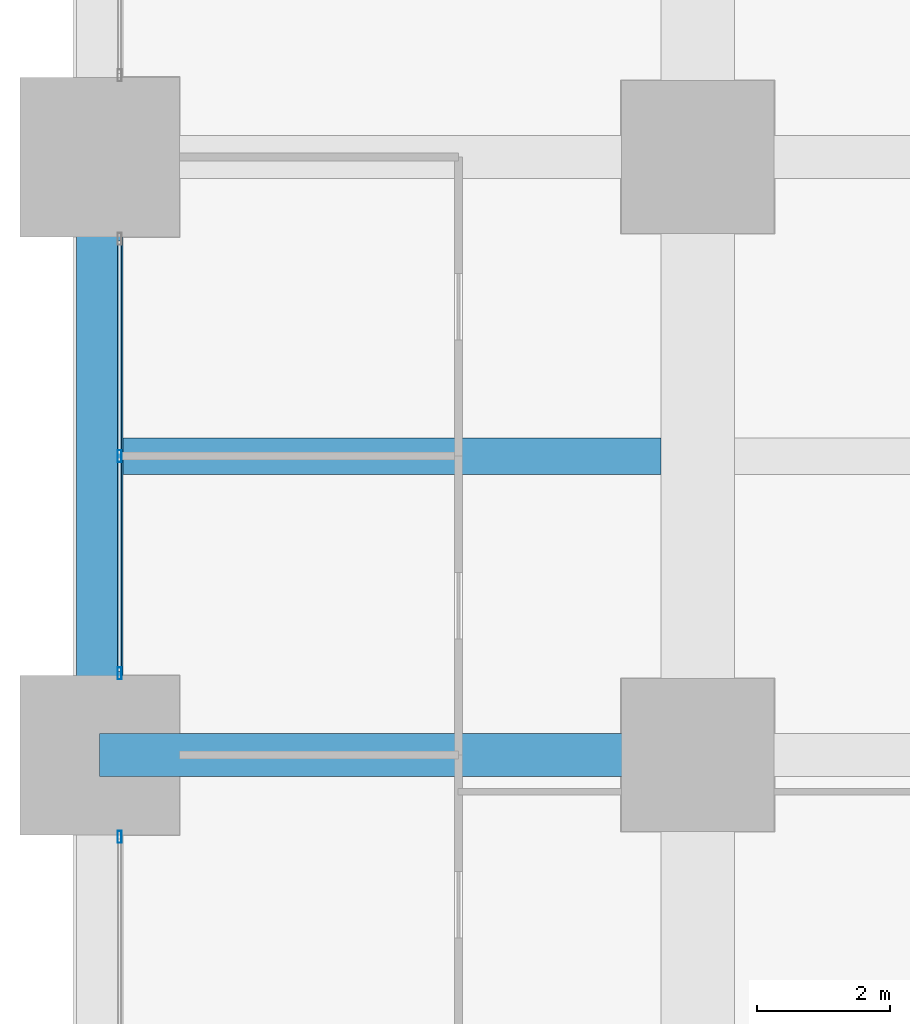
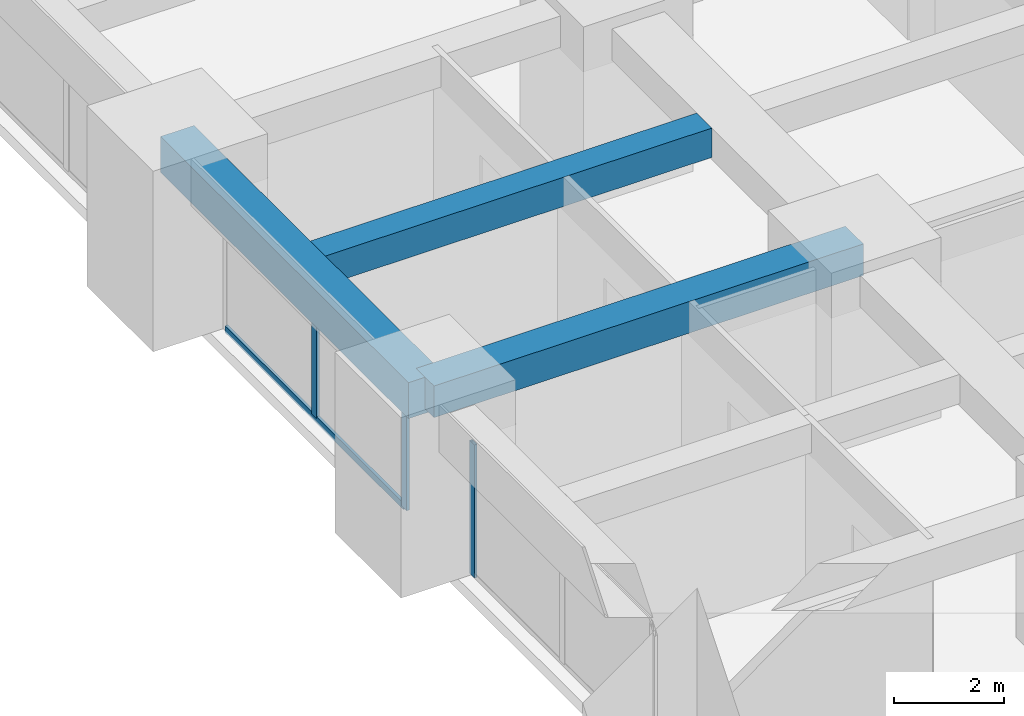
# One storey, part 9 of 44: 4 members, 3 beams, 2 elements without a shape of their own.
"""IFC4 building model written with IfcOpenShell, lengths in metres."""

from ifc_helpers import new_model, si_unit, direction, frame, origin, origin_2d, place, context, subcontext, project, spatial, rectangle, hollow_rectangle, extrude, material, material_profile, profile_set, type_object, element, aggregate, save


model = new_model("IFC4")

# Units and contexts
model_context = context("Model", 3, precision=1e-05, world=origin(), true_north=direction((0.0, 1.0)))
body_context = subcontext(model_context, "Body", "Model", "MODEL_VIEW")
ifc_project = project(units=[si_unit("LENGTHUNIT", "METRE"), si_unit("AREAUNIT", "SQUARE_METRE"), si_unit("VOLUMEUNIT", "CUBIC_METRE"), si_unit("PLANEANGLEUNIT", "RADIAN"), si_unit("MASSUNIT", "GRAM", prefix="KILO")], contexts=[model_context])

# Site, building, storey
site_placement = place(None, origin())
site = spatial("IfcSite", under=ifc_project, at=site_placement, CompositionType="ELEMENT")
building_placement = place(site_placement, origin())
building = spatial("IfcBuilding", under=site, at=building_placement, Name="Zorevar Civic Tower", CompositionType="ELEMENT")
storey_placement = place(building_placement, frame((0.0, 0.0, 35.800048828125)))
storey = spatial("IfcBuildingStorey", under=building, at=storey_placement, Name="L08", CompositionType="ELEMENT", Elevation=35.800048828125)

# Beams
ifc_material_1 = material(Name="Concrete C50/60", Category="concrete")
ifc_material_profile_1 = material_profile(ifc_material_1, rectangle(XDim=0.550048828125, YDim=0.64990234375, at=origin_2d()), Name="RC 550x650")
ifc_profile_set_1 = profile_set([ifc_material_profile_1], Name="Concrete C50/60")
beam_type_1 = type_object("IfcBeamType", Name="Beam RC 550x650", PredefinedType="BEAM", material=ifc_profile_set_1)
beam_1_placement = place(storey_placement, frame((0.35009765625, 22.5, 3.425048828125), z_axis=(1.0, 0.0, 0.0), x_axis=(0.0, 1.0, 0.0)))
element("IfcBeam", 1, at=beam_1_placement, inside=storey, type_object=beam_type_1, Name="Secondary beam L09", PredefinedType="BEAM", context=body_context, shape_type="SweptSolid", body=[
    extrude(rectangle(XDim=0.550048828125, YDim=0.64990234375, at=origin_2d()), origin(), (0.0, 0.0, 1.0), 8.099853515625),
])
ifc_material_2 = material(Name="Concrete C50/60", Category="concrete")
ifc_material_profile_2 = material_profile(ifc_material_2, rectangle(XDim=0.64990234375, YDim=0.699951171875, at=origin_2d()), Name="RC 650x700")
ifc_profile_set_2 = profile_set([ifc_material_profile_2], Name="Concrete C50/60")
beam_type_2 = type_object("IfcBeamType", Name="Beam RC 650x700", PredefinedType="BEAM", material=ifc_profile_set_2)
beam_2_placement = place(storey_placement, frame((0.0, 18.0, 3.39990234375), z_axis=(1.0, 0.0, 0.0), x_axis=(0.0, 1.0, 0.0)))
element("IfcBeam", 2, at=beam_2_placement, inside=storey, type_object=beam_type_2, Name="Girder L09", PredefinedType="BEAM", context=body_context, shape_type="SweptSolid", body=[
    extrude(rectangle(XDim=0.64990234375, YDim=0.699951171875, at=origin_2d()), origin(), (0.0, 0.0, 1.0), 9.0),
])

# Curtain wall, member
ifc_material_3 = material(Name="Dark grey solar-control glass in black aluminium frame", Category="aluminium")
curtain_wall_type = type_object("IfcCurtainWallType", Name="Curtain wall CW2 low zone", PredefinedType="NOTDEFINED", material=ifc_material_3)
curtain_wall_1_placement = place(storey_placement, origin())
curtain_wall_1 = element("IfcCurtainWall", 3, at=curtain_wall_1_placement, inside=storey, type_object=curtain_wall_type, Name="CW2 L08", PredefinedType="NOTDEFINED")
ifc_material_4 = material(Name="Aluminium, black anodised", Category="aluminium")
ifc_material_profile_3 = material_profile(ifc_material_4, hollow_rectangle(XDim=0.06005859375, YDim=0.179931640625, WallThickness=0.00390625, at=origin_2d()), Name="AL 180x60x4")
ifc_profile_set_3 = profile_set([ifc_material_profile_3], Name="Aluminium, black anodised")
member_type_1 = type_object("IfcMemberType", Name="CW2 mullion AL 180x60x4", PredefinedType="MULLION", material=ifc_profile_set_3)
member_1_placement = place(storey_placement, frame((0.300048828125, 16.77001953125, 0.0), z_axis=(0.0, 0.0, 1.0), x_axis=(-1.0, 0.0, 0.0)))
member_1 = element("IfcMember", 4, at=member_1_placement, type_object=member_type_1, Name="CW2 mullion 3", PredefinedType="MULLION", context=body_context, shape_type="SweptSolid", body=[
    extrude(hollow_rectangle(XDim=0.06005859375, YDim=0.179931640625, WallThickness=0.00390625, at=origin_2d()), origin(), (0.0, 0.0, 1.0), 2.949951171875),
])
aggregate(curtain_wall_1, [member_1])

# Curtain wall, members
curtain_wall_2_placement = place(storey_placement, origin())
curtain_wall_2 = element("IfcCurtainWall", 5, at=curtain_wall_2_placement, inside=storey, type_object=curtain_wall_type, Name="CW2 L08", PredefinedType="NOTDEFINED")
member_2_placement = place(storey_placement, frame((0.300048828125, 19.22998046875, 0.0), z_axis=(0.0, 0.0, 1.0), x_axis=(-1.0, 0.0, 0.0)))
member_2 = element("IfcMember", 6, at=member_2_placement, type_object=member_type_1, Name="CW2 mullion 1", PredefinedType="MULLION", context=body_context, shape_type="SweptSolid", body=[
    extrude(hollow_rectangle(XDim=0.06005859375, YDim=0.179931640625, WallThickness=0.00390625, at=origin_2d()), origin(), (0.0, 0.0, 1.0), 2.949951171875),
])
member_3_placement = place(storey_placement, frame((0.300048828125, 22.5, 0.06005859375), z_axis=(0.0, 0.0, 1.0), x_axis=(-1.0, 0.0, 0.0)))
member_3 = element("IfcMember", 7, at=member_3_placement, type_object=member_type_1, Name="CW2 mullion 2", PredefinedType="MULLION", context=body_context, shape_type="SweptSolid", body=[
    extrude(hollow_rectangle(XDim=0.06005859375, YDim=0.179931640625, WallThickness=0.00390625, at=origin_2d()), origin(), (0.0, 0.0, 1.0), 2.889892578125),
])
ifc_material_5 = material(Name="Aluminium, black anodised", Category="aluminium")
ifc_material_profile_4 = material_profile(ifc_material_5, hollow_rectangle(XDim=0.06005859375, YDim=0.14990234375, WallThickness=0.00390625, at=origin_2d()), Name="AL 150x60x4")
ifc_profile_set_4 = profile_set([ifc_material_profile_4], Name="Aluminium, black anodised")
member_type_2 = type_object("IfcMemberType", Name="CW2 transom AL 150x60x4", PredefinedType="USERDEFINED", material=ifc_profile_set_4)
member_4_placement = place(storey_placement, frame((0.300048828125, 19.260009765625, 0.030029296875), z_axis=(0.0, 1.0, 0.0), x_axis=(-1.0, 0.0, 0.0)))
member_4 = element("IfcMember", 8, at=member_4_placement, type_object=member_type_2, Name="CW2 sill transom", ObjectType="TRANSOM", PredefinedType="USERDEFINED", context=body_context, shape_type="SweptSolid", body=[
    extrude(hollow_rectangle(XDim=0.06005859375, YDim=0.14990234375, WallThickness=0.00390625, at=origin_2d()), origin(), (0.0, 0.0, 1.0), 6.47998046875),
])
aggregate(curtain_wall_2, [member_2, member_3, member_4])

# Beam
ifc_material_6 = material(Name="Concrete C50/60", Category="concrete")
ifc_material_profile_5 = material_profile(ifc_material_6, rectangle(XDim=0.699951171875, YDim=0.800048828125, at=origin_2d()), Name="RC 700x800")
ifc_profile_set_5 = profile_set([ifc_material_profile_5], Name="Concrete C50/60")
beam_type_3 = type_object("IfcBeamType", Name="Edge beam RC 700x800", PredefinedType="SPANDREL", material=ifc_profile_set_5)
beam_3_placement = place(storey_placement, frame((0.0, 18.0, 3.349853515625), z_axis=(0.0, 1.0, 0.0), x_axis=(-1.0, 0.0, 0.0)))
element("IfcBeam", 9, at=beam_3_placement, inside=storey, type_object=beam_type_3, Name="Edge beam L09", PredefinedType="SPANDREL", context=body_context, shape_type="SweptSolid", body=[
    extrude(rectangle(XDim=0.699951171875, YDim=0.800048828125, at=origin_2d()), origin(), (0.0, 0.0, 1.0), 9.0),
])

save(model, "model.ifc")
